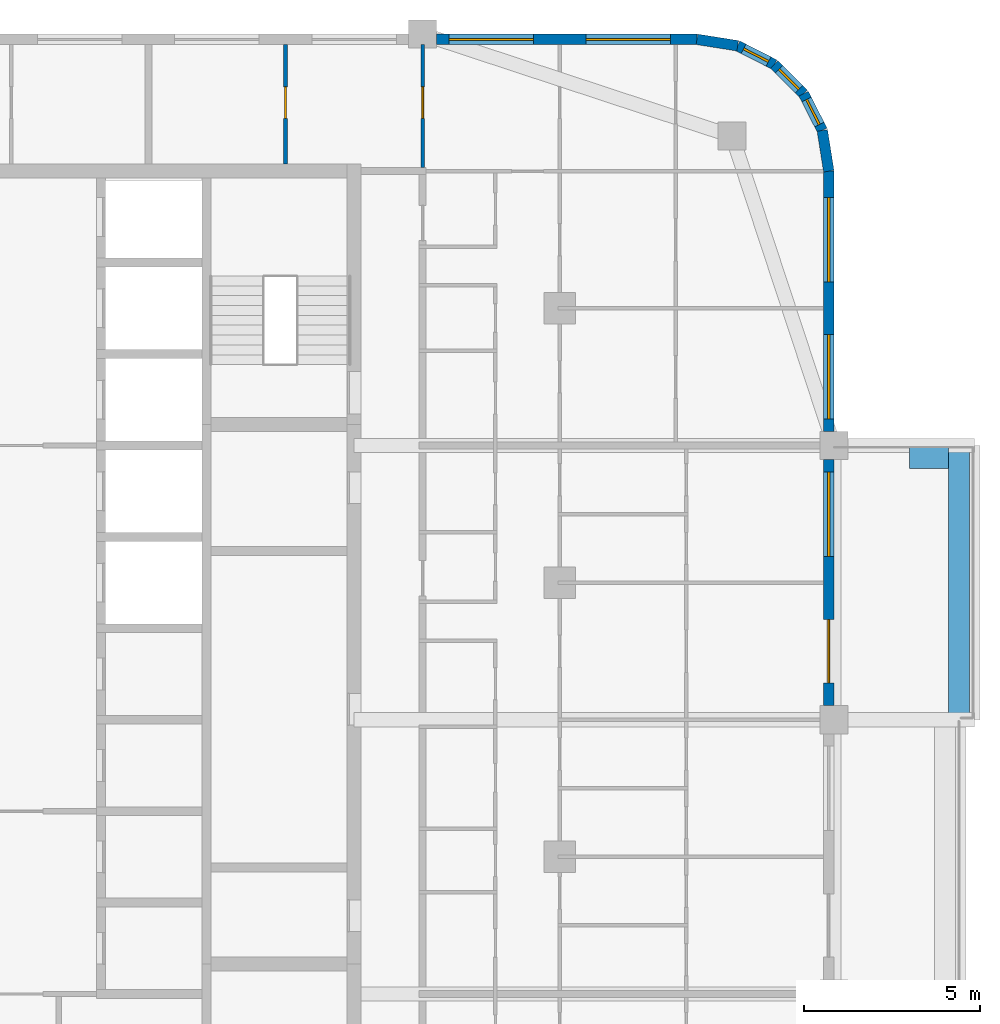
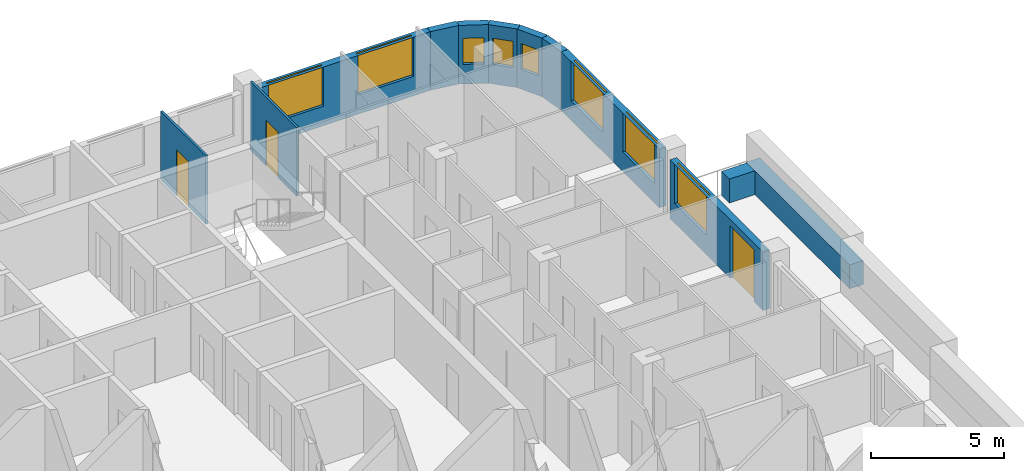
# One storey, part 12 of 16: 12 walls, 8 windows, 3 doors, 11 openings.
"""IFC4 building model written with IfcOpenShell, lengths in metres."""

from ifc_helpers import new_model, si_unit, direction, frame, frame_2d, origin, place, context, subcontext, project, spatial, rectangle, extrude, material, layer, layer_set, type_object, element, fill, save


model = new_model("IFC4")

# Units and contexts
model_context = context("Model", 3, precision=1e-05, world=origin(), true_north=direction((0.0, 1.0)))
body_context = subcontext(model_context, "Body", "Model", "MODEL_VIEW")
ifc_project = project(units=[si_unit("LENGTHUNIT", "METRE"), si_unit("AREAUNIT", "SQUARE_METRE"), si_unit("VOLUMEUNIT", "CUBIC_METRE"), si_unit("PLANEANGLEUNIT", "RADIAN"), si_unit("MASSUNIT", "GRAM", prefix="KILO")], contexts=[model_context])

# Site, building, storey
site_placement = place(None, origin())
site = spatial("IfcSite", under=ifc_project, at=site_placement, CompositionType="ELEMENT")
building_placement = place(site_placement, origin())
building = spatial("IfcBuilding", under=site, at=building_placement, Name="Ludao Terraces", CompositionType="ELEMENT")
storey_placement = place(building_placement, frame((0.0, 0.0, 224.5)))
storey = spatial("IfcBuildingStorey", under=building, at=storey_placement, Name="L61", CompositionType="ELEMENT", Elevation=224.5)

# Walls
ifc_material_1 = material(Name="Concrete C40", Category="concrete")
ifc_layer_1 = layer(ifc_material_1, 0.60009765625)
ifc_layer_set_1 = layer_set([ifc_layer_1], Name="ENV Planter trough 600")
wall_type_1 = type_object("IfcWallType", Name="ENV Planter trough 600", PredefinedType="USERDEFINED", material=ifc_layer_set_1)
wall_1_placement = place(storey_placement, frame((111.949951171875, 68.89990234375, 0.0), z_axis=(0.0, 0.0, 1.0), x_axis=(0.0, 1.0, 0.0)))
element("IfcWall", 1, at=wall_1_placement, inside=storey, type_object=wall_type_1, Name="PL-L61-E3", ObjectType="PLANTER", PredefinedType="USERDEFINED", context=body_context, shape_type="SweptSolid", body=[
    extrude(rectangle(XDim=7.800048828125, YDim=0.60009765625, at=frame_2d((3.89990234375, 0.0))), origin(), (0.0, 0.0, 1.0), 1.10009765625),
])
wall_2_placement = place(storey_placement, frame((111.64990234375, 76.35009765625, 0.0), z_axis=(0.0, 0.0, 1.0), x_axis=(-1.0, 0.0, 0.0)))
element("IfcWall", 2, at=wall_2_placement, inside=storey, type_object=wall_type_1, Name="PL-L61-E3-SB", ObjectType="PLANTER", PredefinedType="USERDEFINED", context=body_context, shape_type="SweptSolid", body=[
    extrude(rectangle(XDim=1.099853515625, YDim=0.60009765625, at=frame_2d((0.5498046875, 0.0))), origin(), (0.0, 0.0, 1.0), 1.10009765625),
])

# Wall, openings, door, window
ifc_material_2 = material(Name="Granite cladding", Category="masonry")
ifc_layer_2 = layer(ifc_material_2, 0.0400390625, Category="stone")
ifc_material_3 = material(Name="Mineral wool")
ifc_layer_3 = layer(ifc_material_3, 0.06005859375)
ifc_layer_4 = layer(ifc_material_1, 0.199951171875, Category="concrete")
ifc_layer_set_2 = layer_set([ifc_layer_2, ifc_layer_3, ifc_layer_4], Name="ENV Stone-clad wall 300")
wall_type_2 = type_object("IfcWallType", Name="ENV Stone-clad wall 300", PredefinedType="SOLIDWALL", material=ifc_layer_set_2)
wall_3_placement = place(storey_placement, frame((108.25, 69.300048828125, 0.0), z_axis=(0.0, 0.0, 1.0), x_axis=(0.0, 1.0, 0.0)))
wall_3 = element("IfcWall", 3, at=wall_3_placement, inside=storey, type_object=wall_type_2, Name="EW-L61-E4", PredefinedType="SOLIDWALL", context=body_context, shape_type="SweptSolid", body=[
    extrude(rectangle(XDim=7.0, YDim=0.300048828125, at=frame_2d((3.5, 0.0))), origin(), (0.0, 0.0, 1.0), 2.699951171875),
])
opening_1_placement = place(wall_3_placement, frame((0.64990234375, 0.0, 0.0)))
opening_1 = element("IfcOpeningElement", 4, at=opening_1_placement, cuts=wall_3, Name="Opening BD", PredefinedType="OPENING", context=body_context, shape_type="SweptSolid", body=[
    extrude(rectangle(XDim=1.800048828125, YDim=2.39990234375, at=frame_2d((0.89990234375, 1.199951171875))), frame((0.0, 0.16015625, 0.0), z_axis=(0.0, -1.0, 0.0), x_axis=(1.0, 0.0, 0.0)), (0.0, 0.0, 1.0), 0.320068359375),
])
opening_2_placement = place(wall_3_placement, frame((4.25, 0.0, 0.89990234375)))
opening_2 = element("IfcOpeningElement", 5, at=opening_2_placement, cuts=wall_3, Name="Opening W1", PredefinedType="OPENING", context=body_context, shape_type="SweptSolid", body=[
    extrude(rectangle(XDim=2.39990234375, YDim=1.800048828125, at=frame_2d((1.199951171875, 0.89990234375))), frame((0.0, 0.16015625, 0.0), z_axis=(0.0, -1.0, 0.0), x_axis=(1.0, 0.0, 0.0)), (0.0, 0.0, 1.0), 0.320068359375),
])
ifc_material_4 = material(Name="Aluminium glazed door", Category="aluminium")
ifc_layer_5 = layer(ifc_material_4, 0.06005859375)
ifc_layer_set_3 = layer_set([ifc_layer_5], Name="ENV Balcony door BD 1800x2400")
door_type_1 = type_object("IfcDoorType", Name="ENV Balcony door BD 1800x2400", OperationType="DOUBLE_DOOR_SINGLE_SWING", PredefinedType="DOOR", material=ifc_layer_set_3)
door_1_placement = place(opening_1_placement, origin())
door_1 = element("IfcDoor", 6, at=door_1_placement, inside=storey, type_object=door_type_1, Name="BD-L61-E4-1", OperationType="DOUBLE_DOOR_SINGLE_SWING", OverallHeight=2.39990234375, OverallWidth=1.800048828125, PredefinedType="DOOR", context=body_context, shape_type="SweptSolid", body=[
    extrude(rectangle(XDim=1.800048828125, YDim=2.39990234375, at=frame_2d((0.89990234375, 1.199951171875))), frame((0.0, 0.02490234375, 0.0), z_axis=(0.0, -1.0, 0.0), x_axis=(1.0, 0.0, 0.0)), (0.0, 0.0, 1.0), 0.050048828125),
])
fill(opening_1, door_1)
ifc_material_5 = material(Name="Clear glass in aluminium frame", Category="aluminium")
ifc_layer_6 = layer(ifc_material_5, 0.06005859375)
ifc_layer_set_4 = layer_set([ifc_layer_6], Name="ENV Window W1 2400x1800")
window_type_1 = type_object("IfcWindowType", Name="ENV Window W1 2400x1800", PartitioningType="DOUBLE_PANEL_VERTICAL", PredefinedType="WINDOW", material=ifc_layer_set_4)
window_1_placement = place(opening_2_placement, origin())
window_1 = element("IfcWindow", 7, at=window_1_placement, inside=storey, type_object=window_type_1, Name="W-L61-E4-2", OverallHeight=1.800048828125, OverallWidth=2.39990234375, PartitioningType="DOUBLE_PANEL_VERTICAL", PredefinedType="WINDOW", context=body_context, shape_type="SweptSolid", body=[
    extrude(rectangle(XDim=2.39990234375, YDim=1.800048828125, at=frame_2d((1.199951171875, 0.89990234375))), frame((0.0, 0.030029296875, 0.0), z_axis=(0.0, -1.0, 0.0), x_axis=(1.0, 0.0, 0.0)), (0.0, 0.0, 1.0), 0.06005859375),
])
fill(opening_2, window_1)

# Wall, openings, windows
wall_4_placement = place(storey_placement, frame((108.25, 77.10009765625, 0.0), z_axis=(0.0, 0.0, 1.0), x_axis=(0.0, 1.0, 0.0)))
wall_4 = element("IfcWall", 8, at=wall_4_placement, inside=storey, type_object=wall_type_2, Name="EW-L61-E5", PredefinedType="SOLIDWALL", context=body_context, shape_type="SweptSolid", body=[
    extrude(rectangle(XDim=7.39990234375, YDim=0.300048828125, at=frame_2d((3.699951171875, 0.0))), origin(), (0.0, 0.0, 1.0), 2.699951171875),
])
opening_3_placement = place(wall_4_placement, frame((0.35009765625, 0.0, 0.89990234375)))
opening_3 = element("IfcOpeningElement", 9, at=opening_3_placement, cuts=wall_4, Name="Opening W1", PredefinedType="OPENING", context=body_context, shape_type="SweptSolid", body=[
    extrude(rectangle(XDim=2.39990234375, YDim=1.800048828125, at=frame_2d((1.199951171875, 0.89990234375))), frame((0.0, 0.16015625, 0.0), z_axis=(0.0, -1.0, 0.0), x_axis=(1.0, 0.0, 0.0)), (0.0, 0.0, 1.0), 0.320068359375),
])
opening_4_placement = place(wall_4_placement, frame((4.25, 0.0, 0.89990234375)))
opening_4 = element("IfcOpeningElement", 10, at=opening_4_placement, cuts=wall_4, Name="Opening W1", PredefinedType="OPENING", context=body_context, shape_type="SweptSolid", body=[
    extrude(rectangle(XDim=2.39990234375, YDim=1.800048828125, at=frame_2d((1.199951171875, 0.89990234375))), frame((0.0, 0.16015625, 0.0), z_axis=(0.0, -1.0, 0.0), x_axis=(1.0, 0.0, 0.0)), (0.0, 0.0, 1.0), 0.320068359375),
])
window_2_placement = place(opening_3_placement, origin())
window_2 = element("IfcWindow", 11, at=window_2_placement, inside=storey, type_object=window_type_1, Name="W-L61-E5-1", OverallHeight=1.800048828125, OverallWidth=2.39990234375, PartitioningType="DOUBLE_PANEL_VERTICAL", PredefinedType="WINDOW", context=body_context, shape_type="SweptSolid", body=[
    extrude(rectangle(XDim=2.39990234375, YDim=1.800048828125, at=frame_2d((1.199951171875, 0.89990234375))), frame((0.0, 0.030029296875, 0.0), z_axis=(0.0, -1.0, 0.0), x_axis=(1.0, 0.0, 0.0)), (0.0, 0.0, 1.0), 0.06005859375),
])
fill(opening_3, window_2)
window_3_placement = place(opening_4_placement, origin())
window_3 = element("IfcWindow", 12, at=window_3_placement, inside=storey, type_object=window_type_1, Name="W-L61-E5-2", OverallHeight=1.800048828125, OverallWidth=2.39990234375, PartitioningType="DOUBLE_PANEL_VERTICAL", PredefinedType="WINDOW", context=body_context, shape_type="SweptSolid", body=[
    extrude(rectangle(XDim=2.39990234375, YDim=1.800048828125, at=frame_2d((1.199951171875, 0.89990234375))), frame((0.0, 0.030029296875, 0.0), z_axis=(0.0, -1.0, 0.0), x_axis=(1.0, 0.0, 0.0)), (0.0, 0.0, 1.0), 0.06005859375),
])
fill(opening_4, window_3)

wall_5_placement = place(storey_placement, frame((97.10009765625, 88.25, 0.0), z_axis=(0.0, 0.0, 1.0), x_axis=(1.0, 0.0, 0.0)))
wall_5 = element("IfcWall", 13, at=wall_5_placement, inside=storey, type_object=wall_type_2, Name="EW-L61-N3", PredefinedType="SOLIDWALL", context=body_context, shape_type="SweptSolid", body=[
    extrude(rectangle(XDim=7.39990234375, YDim=0.300048828125, at=frame_2d((3.699951171875, 0.0))), origin(), (0.0, 0.0, 1.0), 2.699951171875),
])
opening_5_placement = place(wall_5_placement, frame((0.35009765625, 0.0, 0.89990234375)))
opening_5 = element("IfcOpeningElement", 14, at=opening_5_placement, cuts=wall_5, Name="Opening W1", PredefinedType="OPENING", context=body_context, shape_type="SweptSolid", body=[
    extrude(rectangle(XDim=2.39990234375, YDim=1.800048828125, at=frame_2d((1.199951171875, 0.89990234375))), frame((0.0, 0.16015625, 0.0), z_axis=(0.0, -1.0, 0.0), x_axis=(1.0, 0.0, 0.0)), (0.0, 0.0, 1.0), 0.320068359375),
])
opening_6_placement = place(wall_5_placement, frame((4.25, 0.0, 0.89990234375)))
opening_6 = element("IfcOpeningElement", 15, at=opening_6_placement, cuts=wall_5, Name="Opening W1", PredefinedType="OPENING", context=body_context, shape_type="SweptSolid", body=[
    extrude(rectangle(XDim=2.39990234375, YDim=1.800048828125, at=frame_2d((1.199951171875, 0.89990234375))), frame((0.0, 0.16015625, 0.0), z_axis=(0.0, -1.0, 0.0), x_axis=(1.0, 0.0, 0.0)), (0.0, 0.0, 1.0), 0.320068359375),
])
window_4_placement = place(opening_5_placement, origin())
window_4 = element("IfcWindow", 16, at=window_4_placement, inside=storey, type_object=window_type_1, Name="W-L61-N3-1", OverallHeight=1.800048828125, OverallWidth=2.39990234375, PartitioningType="DOUBLE_PANEL_VERTICAL", PredefinedType="WINDOW", context=body_context, shape_type="SweptSolid", body=[
    extrude(rectangle(XDim=2.39990234375, YDim=1.800048828125, at=frame_2d((1.199951171875, 0.89990234375))), frame((0.0, 0.030029296875, 0.0), z_axis=(0.0, -1.0, 0.0), x_axis=(1.0, 0.0, 0.0)), (0.0, 0.0, 1.0), 0.06005859375),
])
fill(opening_5, window_4)
window_5_placement = place(opening_6_placement, origin())
window_5 = element("IfcWindow", 17, at=window_5_placement, inside=storey, type_object=window_type_1, Name="W-L61-N3-2", OverallHeight=1.800048828125, OverallWidth=2.39990234375, PartitioningType="DOUBLE_PANEL_VERTICAL", PredefinedType="WINDOW", context=body_context, shape_type="SweptSolid", body=[
    extrude(rectangle(XDim=2.39990234375, YDim=1.800048828125, at=frame_2d((1.199951171875, 0.89990234375))), frame((0.0, 0.030029296875, 0.0), z_axis=(0.0, -1.0, 0.0), x_axis=(1.0, 0.0, 0.0)), (0.0, 0.0, 1.0), 0.06005859375),
])
fill(opening_6, window_5)

# Wall
wall_6_placement = place(storey_placement, frame((108.25, 84.5, 0.0), z_axis=(0.0, 0.0, 1.0), x_axis=(-0.156496880861, 0.987678452879, 0.0)))
element("IfcWall", 18, at=wall_6_placement, inside=storey, type_object=wall_type_2, Name="EW-L61-NE1", PredefinedType="SOLIDWALL", context=body_context, shape_type="SweptSolid", body=[
    extrude(rectangle(XDim=1.173095703125, YDim=0.300048828125, at=frame_2d((0.58642578125, 0.0))), origin(), (0.0, 0.0, 1.0), 2.699951171875),
])

# Wall, opening, window
wall_7_placement = place(storey_placement, frame((108.06640625, 85.65869140625, 0.0), z_axis=(0.0, 0.0, 1.0), x_axis=(-0.454025524128, 0.890988677504, 0.0)))
wall_7 = element("IfcWall", 19, at=wall_7_placement, inside=storey, type_object=wall_type_2, Name="EW-L61-NE2", PredefinedType="SOLIDWALL", context=body_context, shape_type="SweptSolid", body=[
    extrude(rectangle(XDim=1.17333984375, YDim=0.300048828125, at=frame_2d((0.586669921875, 0.0))), origin(), (0.0, 0.0, 1.0), 2.699951171875),
])
opening_7_placement = place(wall_7_placement, frame((0.1865234375, 0.0, 0.89990234375)))
opening_7 = element("IfcOpeningElement", 20, at=opening_7_placement, cuts=wall_7, Name="Opening W3", PredefinedType="OPENING", context=body_context, shape_type="SweptSolid", body=[
    extrude(rectangle(XDim=0.800048828125, YDim=1.199951171875, at=frame_2d((0.39990234375, 0.60009765625))), frame((0.0, 0.16015625, 0.0), z_axis=(0.0, -1.0, 0.0), x_axis=(1.0, 0.0, 0.0)), (0.0, 0.0, 1.0), 0.320068359375),
])
ifc_layer_7 = layer(ifc_material_5, 0.06005859375)
ifc_layer_set_5 = layer_set([ifc_layer_7], Name="ENV Window W3 800x1200")
window_type_2 = type_object("IfcWindowType", Name="ENV Window W3 800x1200", PartitioningType="SINGLE_PANEL", PredefinedType="WINDOW", material=ifc_layer_set_5)
window_6_placement = place(opening_7_placement, origin())
window_6 = element("IfcWindow", 21, at=window_6_placement, inside=storey, type_object=window_type_2, Name="W-L61-NE2", OverallHeight=1.199951171875, OverallWidth=0.800048828125, PartitioningType="SINGLE_PANEL", PredefinedType="WINDOW", context=body_context, shape_type="SweptSolid", body=[
    extrude(rectangle(XDim=0.800048828125, YDim=1.199951171875, at=frame_2d((0.39990234375, 0.60009765625))), frame((0.0, 0.030029296875, 0.0), z_axis=(0.0, -1.0, 0.0), x_axis=(1.0, 0.0, 0.0)), (0.0, 0.0, 1.0), 0.06005859375),
])
fill(opening_7, window_6)

wall_8_placement = place(storey_placement, frame((107.53369140625, 86.7041015625, 0.0), z_axis=(0.0, 0.0, 1.0), x_axis=(-0.707106781187, 0.707106781187, 0.0)))
wall_8 = element("IfcWall", 22, at=wall_8_placement, inside=storey, type_object=wall_type_2, Name="EW-L61-NE3", PredefinedType="SOLIDWALL", context=body_context, shape_type="SweptSolid", body=[
    extrude(rectangle(XDim=1.173095703125, YDim=0.300048828125, at=frame_2d((0.58642578125, 0.0))), origin(), (0.0, 0.0, 1.0), 2.699951171875),
])
opening_8_placement = place(wall_8_placement, frame((0.1865234375, 0.0, 0.89990234375)))
opening_8 = element("IfcOpeningElement", 23, at=opening_8_placement, cuts=wall_8, Name="Opening W3", PredefinedType="OPENING", context=body_context, shape_type="SweptSolid", body=[
    extrude(rectangle(XDim=0.800048828125, YDim=1.199951171875, at=frame_2d((0.39990234375, 0.60009765625))), frame((0.0, 0.16015625, 0.0), z_axis=(0.0, -1.0, 0.0), x_axis=(1.0, 0.0, 0.0)), (0.0, 0.0, 1.0), 0.320068359375),
])
window_7_placement = place(opening_8_placement, origin())
window_7 = element("IfcWindow", 24, at=window_7_placement, inside=storey, type_object=window_type_2, Name="W-L61-NE3", OverallHeight=1.199951171875, OverallWidth=0.800048828125, PartitioningType="SINGLE_PANEL", PredefinedType="WINDOW", context=body_context, shape_type="SweptSolid", body=[
    extrude(rectangle(XDim=0.800048828125, YDim=1.199951171875, at=frame_2d((0.39990234375, 0.60009765625))), frame((0.0, 0.030029296875, 0.0), z_axis=(0.0, -1.0, 0.0), x_axis=(1.0, 0.0, 0.0)), (0.0, 0.0, 1.0), 0.06005859375),
])
fill(opening_8, window_7)

wall_9_placement = place(storey_placement, frame((106.7041015625, 87.53369140625, 0.0), z_axis=(0.0, 0.0, 1.0), x_axis=(-0.890988677504, 0.454025524128, 0.0)))
wall_9 = element("IfcWall", 25, at=wall_9_placement, inside=storey, type_object=wall_type_2, Name="EW-L61-NE4", PredefinedType="SOLIDWALL", context=body_context, shape_type="SweptSolid", body=[
    extrude(rectangle(XDim=1.17333984375, YDim=0.300048828125, at=frame_2d((0.586669921875, 0.0))), origin(), (0.0, 0.0, 1.0), 2.699951171875),
])
opening_9_placement = place(wall_9_placement, frame((0.1865234375, 0.0, 0.89990234375)))
opening_9 = element("IfcOpeningElement", 26, at=opening_9_placement, cuts=wall_9, Name="Opening W3", PredefinedType="OPENING", context=body_context, shape_type="SweptSolid", body=[
    extrude(rectangle(XDim=0.800048828125, YDim=1.199951171875, at=frame_2d((0.39990234375, 0.60009765625))), frame((0.0, 0.16015625, 0.0), z_axis=(0.0, -1.0, 0.0), x_axis=(1.0, 0.0, 0.0)), (0.0, 0.0, 1.0), 0.320068359375),
])
window_8_placement = place(opening_9_placement, origin())
window_8 = element("IfcWindow", 27, at=window_8_placement, inside=storey, type_object=window_type_2, Name="W-L61-NE4", OverallHeight=1.199951171875, OverallWidth=0.800048828125, PartitioningType="SINGLE_PANEL", PredefinedType="WINDOW", context=body_context, shape_type="SweptSolid", body=[
    extrude(rectangle(XDim=0.800048828125, YDim=1.199951171875, at=frame_2d((0.39990234375, 0.60009765625))), frame((0.0, 0.030029296875, 0.0), z_axis=(0.0, -1.0, 0.0), x_axis=(1.0, 0.0, 0.0)), (0.0, 0.0, 1.0), 0.06005859375),
])
fill(opening_9, window_8)

# Wall
wall_10_placement = place(storey_placement, frame((105.65869140625, 88.06640625, 0.0), z_axis=(0.0, 0.0, 1.0), x_axis=(-0.987678452879, 0.156496880861, 0.0)))
element("IfcWall", 28, at=wall_10_placement, inside=storey, type_object=wall_type_2, Name="EW-L61-NE5", PredefinedType="SOLIDWALL", context=body_context, shape_type="SweptSolid", body=[
    extrude(rectangle(XDim=1.173095703125, YDim=0.300048828125, at=frame_2d((0.58642578125, 0.0))), origin(), (0.0, 0.0, 1.0), 2.699951171875),
])

# Wall, opening, door
ifc_material_6 = material(Name="Gypsum plasterboard", Category="gypsum")
ifc_layer_8 = layer(ifc_material_6, 0.012451171875, Category="gypsum")
ifc_layer_9 = layer(ifc_material_3, 0.06005859375, Name="insulation")
ifc_material_7 = material(Name="Steel Q235", Category="steel")
ifc_layer_10 = layer(ifc_material_7, 0.014892578125, Name="stud")
ifc_layer_11 = layer(ifc_material_6, 0.012451171875, Category="gypsum")
ifc_layer_set_6 = layer_set([ifc_layer_8, ifc_layer_9, ifc_layer_10, ifc_layer_11], Name="INT Partition 100")
wall_type_3 = type_object("IfcWallType", Name="INT Partition 100", PredefinedType="PARTITIONING", material=ifc_layer_set_6)
wall_11_placement = place(storey_placement, frame((92.800048828125, 84.7001953125, 0.0), z_axis=(0.0, 0.0, 1.0), x_axis=(0.0, 1.0, 0.0)))
wall_11 = element("IfcWall", 29, at=wall_11_placement, inside=storey, type_object=wall_type_3, Name="PW-L61-PW087", PredefinedType="PARTITIONING", context=body_context, shape_type="SweptSolid", body=[
    extrude(rectangle(XDim=3.39990234375, YDim=0.10009765625, at=frame_2d((1.699951171875, 0.0))), origin(), (0.0, 0.0, 1.0), 3.14990234375),
])
opening_10_placement = place(wall_11_placement, frame((1.2998046875, 0.0, 0.0)))
opening_10 = element("IfcOpeningElement", 30, at=opening_10_placement, cuts=wall_11, Name="Opening R22-137", PredefinedType="OPENING", context=body_context, shape_type="SweptSolid", body=[
    extrude(rectangle(XDim=0.89990234375, YDim=2.10009765625, at=frame_2d((0.449951171875, 1.050048828125))), frame((0.0, 0.06005859375, 0.0), z_axis=(0.0, -1.0, 0.0), x_axis=(1.0, 0.0, 0.0)), (0.0, 0.0, 1.0), 0.1201171875),
])
ifc_material_8 = material(Name="Timber door leaf", Category="wood")
door_type_2 = type_object("IfcDoorType", Name="INT Room door 900", OperationType="SINGLE_SWING_LEFT", PredefinedType="DOOR", material=ifc_material_8)
door_2_placement = place(opening_10_placement, origin())
door_2 = element("IfcDoor", 31, at=door_2_placement, inside=storey, type_object=door_type_2, Name="DOOR 137", OperationType="SINGLE_SWING_RIGHT", OverallHeight=2.10009765625, OverallWidth=0.89990234375, PredefinedType="DOOR", context=body_context, shape_type="SweptSolid", body=[
    extrude(rectangle(XDim=0.89990234375, YDim=2.10009765625, at=frame_2d((0.449951171875, 1.050048828125))), frame((0.0, 0.02490234375, 0.0), z_axis=(0.0, -1.0, 0.0), x_axis=(1.0, 0.0, 0.0)), (0.0, 0.0, 1.0), 0.050048828125),
])
fill(opening_10, door_2)

wall_12_placement = place(storey_placement, frame((96.699951171875, 84.60009765625, 0.0), z_axis=(0.0, 0.0, 1.0), x_axis=(0.0, 1.0, 0.0)))
wall_12 = element("IfcWall", 32, at=wall_12_placement, inside=storey, type_object=wall_type_3, Name="PW-L61-PW090", PredefinedType="PARTITIONING", context=body_context, shape_type="SweptSolid", body=[
    extrude(rectangle(XDim=3.5, YDim=0.10009765625, at=frame_2d((1.75, 0.0))), origin(), (0.0, 0.0, 1.0), 3.14990234375),
])
opening_11_placement = place(wall_12_placement, frame((1.39990234375, 0.0, 0.0)))
opening_11 = element("IfcOpeningElement", 33, at=opening_11_placement, cuts=wall_12, Name="Opening R22-138", PredefinedType="OPENING", context=body_context, shape_type="SweptSolid", body=[
    extrude(rectangle(XDim=0.89990234375, YDim=2.10009765625, at=frame_2d((0.449951171875, 1.050048828125))), frame((0.0, 0.06005859375, 0.0), z_axis=(0.0, -1.0, 0.0), x_axis=(1.0, 0.0, 0.0)), (0.0, 0.0, 1.0), 0.1201171875),
])
door_3_placement = place(opening_11_placement, origin())
door_3 = element("IfcDoor", 34, at=door_3_placement, inside=storey, type_object=door_type_2, Name="DOOR 138", OperationType="SINGLE_SWING_RIGHT", OverallHeight=2.10009765625, OverallWidth=0.89990234375, PredefinedType="DOOR", context=body_context, shape_type="SweptSolid", body=[
    extrude(rectangle(XDim=0.89990234375, YDim=2.10009765625, at=frame_2d((0.449951171875, 1.050048828125))), frame((0.0, 0.02490234375, 0.0), z_axis=(0.0, -1.0, 0.0), x_axis=(1.0, 0.0, 0.0)), (0.0, 0.0, 1.0), 0.050048828125),
])
fill(opening_11, door_3)

save(model, "model.ifc")
